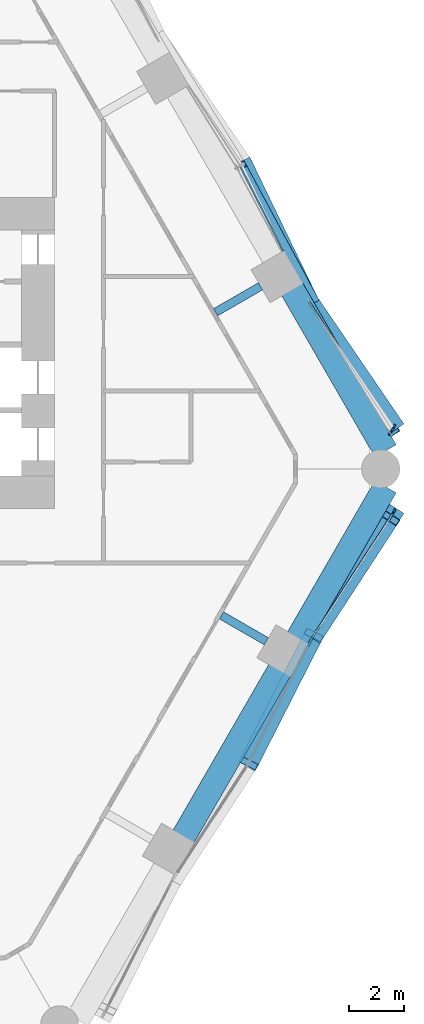
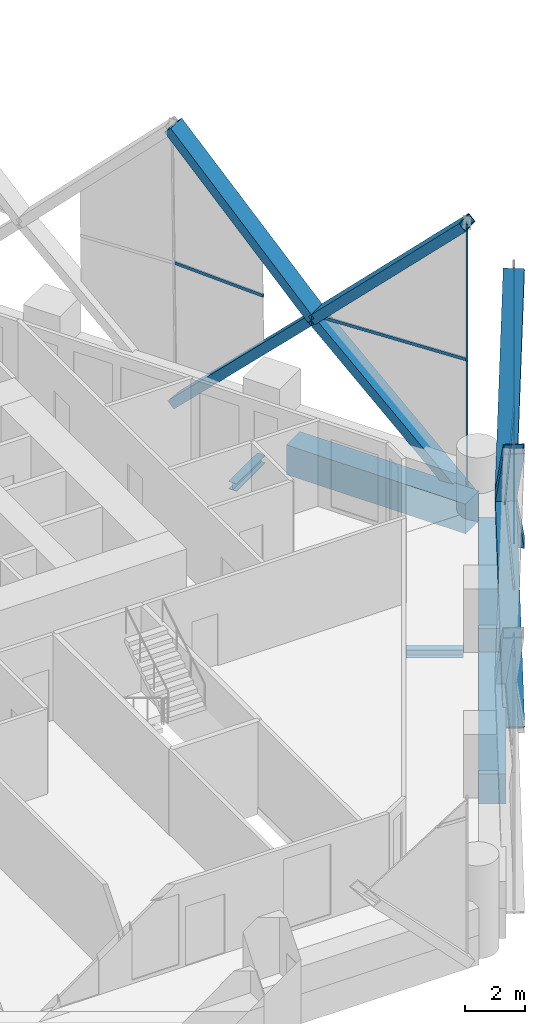
# One storey, part 7 of 22: 16 members, 5 beams, 4 elements without a shape of their own.
"""IFC4 building model written with IfcOpenShell, lengths in metres."""

from ifc_helpers import new_model, si_unit, direction, frame, origin, origin_2d, place, context, subcontext, project, spatial, rectangle, hollow_rectangle, i_section, extrude, material, material_profile, profile_set, type_object, element, aggregate, save


model = new_model("IFC4")

# Units and contexts
model_context = context("Model", 3, precision=1e-05, world=origin(), true_north=direction((0.0, 1.0)))
body_context = subcontext(model_context, "Body", "Model", "MODEL_VIEW")
ifc_project = project(units=[si_unit("LENGTHUNIT", "METRE"), si_unit("AREAUNIT", "SQUARE_METRE"), si_unit("VOLUMEUNIT", "CUBIC_METRE"), si_unit("PLANEANGLEUNIT", "RADIAN"), si_unit("MASSUNIT", "GRAM", prefix="KILO")], contexts=[model_context])

# Site, building, storey
site_placement = place(None, origin())
site = spatial("IfcSite", under=ifc_project, at=site_placement, CompositionType="ELEMENT")
building_placement = place(site_placement, origin())
building = spatial("IfcBuilding", under=site, at=building_placement, Name="Ostrander Bayou Hotel Tower", CompositionType="ELEMENT")
storey_placement = place(building_placement, frame((0.0, 0.0, 46.75)))
storey = spatial("IfcBuildingStorey", under=building, at=storey_placement, Name="L11", CompositionType="ELEMENT", Elevation=46.75)

# Curtain wall, members
ifc_material_1 = material(Name="Aluminium and clear glass", Category="aluminium")
curtain_wall_type = type_object("IfcCurtainWallType", Name="CW-LAT lattice glazing", PredefinedType="NOTDEFINED", material=ifc_material_1)
curtain_wall_1_placement = place(storey_placement, origin())
curtain_wall_1 = element("IfcCurtainWall", 1, at=curtain_wall_1_placement, inside=storey, type_object=curtain_wall_type, Name="CW-LAT L11 SE 1", PredefinedType="NOTDEFINED")
ifc_material_2 = material(Name="Aluminium", Category="aluminium")
ifc_material_profile_1 = material_profile(ifc_material_2, hollow_rectangle(XDim=0.06005859375, YDim=0.159912109375, WallThickness=0.00390625, at=origin_2d()))
ifc_profile_set_1 = profile_set([ifc_material_profile_1], Name="Aluminium")
member_type_1 = type_object("IfcMemberType", Name="CW-LA mullion 60 x 160 mm", PredefinedType="MULLION", material=ifc_profile_set_1)
member_1_placement = place(storey_placement, frame((24.44677734375, -1.797119140625, -0.60009765625), z_axis=(-0.012582822759, -0.021781300087, 0.999683573706), x_axis=(0.865898279276, -0.500220121494, 0.0)))
member_1 = element("IfcMember", 2, at=member_1_placement, type_object=member_type_1, Name="CW-LAT mullion 8", PredefinedType="MULLION", context=body_context, shape_type="SweptSolid", body=[
    extrude(hollow_rectangle(XDim=0.06005859375, YDim=0.159912109375, WallThickness=0.00390625, at=origin_2d()), origin(), (0.0, 0.0, 1.0), 5.626708984375),
])
member_2_placement = place(storey_placement, frame((24.3759765625, -1.919677734375, 5.02490234375), z_axis=(-0.012626192954, -0.021824656549, 0.999682081273), x_axis=(0.865583332221, -0.500764909893, 0.0)))
member_2 = element("IfcMember", 3, at=member_2_placement, type_object=member_type_1, Name="CW-LAT mullion 9", PredefinedType="MULLION", context=body_context, shape_type="SweptSolid", body=[
    extrude(hollow_rectangle(XDim=0.06005859375, YDim=0.159912109375, WallThickness=0.00390625, at=origin_2d()), origin(), (0.0, 0.0, 1.0), 5.626708984375),
])
aggregate(curtain_wall_1, [member_1, member_2])

curtain_wall_2_placement = place(storey_placement, origin())
curtain_wall_2 = element("IfcCurtainWall", 4, at=curtain_wall_2_placement, inside=storey, type_object=curtain_wall_type, Name="CW-LAT L11 NE 1", PredefinedType="NOTDEFINED")
member_3_placement = place(storey_placement, frame((24.44677734375, 1.305908203125, -0.60009765625), z_axis=(-0.012582822759, -0.021781300087, 0.999683573706), x_axis=(0.865898279276, -0.500220121494, 0.0)))
member_3 = element("IfcMember", 5, at=member_3_placement, type_object=member_type_1, Name="CW-LAT mullion 1", PredefinedType="MULLION", context=body_context, shape_type="SweptSolid", body=[
    extrude(hollow_rectangle(XDim=0.06005859375, YDim=0.159912109375, WallThickness=0.00390625, at=origin_2d()), origin(), (0.0, 0.0, 1.0), 5.626708984375),
])
member_4_placement = place(storey_placement, frame((24.3759765625, 1.183349609375, 5.02490234375), z_axis=(-0.012626192954, -0.021824656549, 0.999682081273), x_axis=(0.865583332221, -0.500764909893, 0.0)))
member_4 = element("IfcMember", 6, at=member_4_placement, type_object=member_type_1, Name="CW-LAT mullion 2", PredefinedType="MULLION", context=body_context, shape_type="SweptSolid", body=[
    extrude(hollow_rectangle(XDim=0.06005859375, YDim=0.159912109375, WallThickness=0.00390625, at=origin_2d()), origin(), (0.0, 0.0, 1.0), 5.626708984375),
])
aggregate(curtain_wall_2, [member_3, member_4])

curtain_wall_3_placement = place(storey_placement, origin())
curtain_wall_3 = element("IfcCurtainWall", 7, at=curtain_wall_3_placement, inside=storey, type_object=curtain_wall_type, Name="CW-LAT L11 SE 2", PredefinedType="NOTDEFINED")
ifc_material_3 = material(Name="Aluminium", Category="aluminium")
ifc_material_profile_2 = material_profile(ifc_material_3, hollow_rectangle(XDim=0.06005859375, YDim=0.1201171875, WallThickness=0.00390625, at=origin_2d()))
ifc_profile_set_2 = profile_set([ifc_material_profile_2], Name="Aluminium")
member_type_2 = type_object("IfcMemberType", Name="CW-LA transom 60 x 120 mm", PredefinedType="USERDEFINED", material=ifc_profile_set_2)
member_5_placement = place(storey_placement, frame((19.11328125, -11.034912109375, 5.02490234375), z_axis=(0.453355230913, 0.891329924665, 0.0), x_axis=(-0.891329924665, 0.453355230913, 0.0)))
member_5 = element("IfcMember", 8, at=member_5_placement, type_object=member_type_2, Name="CW-LAT transom 7", ObjectType="TRANSOM", PredefinedType="USERDEFINED", context=body_context, shape_type="SweptSolid", body=[
    extrude(hollow_rectangle(XDim=0.06005859375, YDim=0.1201171875, WallThickness=0.00390625, at=origin_2d()), origin(), (0.0, 0.0, 1.0), 5.27001953125),
])
member_6_placement = place(storey_placement, frame((24.3759765625, -1.919677734375, 5.02490234375), z_axis=(-0.545221203934, -0.838292215627, 0.0), x_axis=(0.838292215627, -0.545221203934, 0.0)))
member_6 = element("IfcMember", 9, at=member_6_placement, type_object=member_type_2, Name="CW-LAT transom 10", ObjectType="TRANSOM", PredefinedType="USERDEFINED", context=body_context, shape_type="SweptSolid", body=[
    extrude(hollow_rectangle(XDim=0.06005859375, YDim=0.1201171875, WallThickness=0.00390625, at=origin_2d()), origin(), (0.0, 0.0, 1.0), 5.637939453125),
])
aggregate(curtain_wall_3, [member_5, member_6])

curtain_wall_4_placement = place(storey_placement, origin())
curtain_wall_4 = element("IfcCurtainWall", 10, at=curtain_wall_4_placement, inside=storey, type_object=curtain_wall_type, Name="CW-LAT L11 NE 2", PredefinedType="NOTDEFINED")
member_7_placement = place(storey_placement, frame((24.3759765625, 1.183349609375, 5.02490234375), z_axis=(-0.544355623565, 0.838854549426, 0.0), x_axis=(-0.838854549426, -0.544355623565, 0.0)))
member_7 = element("IfcMember", 11, at=member_7_placement, type_object=member_type_2, Name="CW-LAT transom 3", ObjectType="TRANSOM", PredefinedType="USERDEFINED", context=body_context, shape_type="SweptSolid", body=[
    extrude(hollow_rectangle(XDim=0.06005859375, YDim=0.1201171875, WallThickness=0.00390625, at=origin_2d()), origin(), (0.0, 0.0, 1.0), 5.589111328125),
])
member_8_placement = place(storey_placement, frame((18.794189453125, 10.850830078125, 5.02490234375), z_axis=(0.454341581159, -0.890827552128, 0.0), x_axis=(0.890827552128, 0.454341581159, 0.0)))
member_8 = element("IfcMember", 12, at=member_8_placement, type_object=member_type_2, Name="CW-LAT transom 6", ObjectType="TRANSOM", PredefinedType="USERDEFINED", context=body_context, shape_type="SweptSolid", body=[
    extrude(hollow_rectangle(XDim=0.06005859375, YDim=0.1201171875, WallThickness=0.00390625, at=origin_2d()), origin(), (0.0, 0.0, 1.0), 3.500244140625),
])
aggregate(curtain_wall_4, [member_7, member_8])

# Beams
ifc_material_4 = material(Name="Steel ASTM A992", Category="steel")
ifc_material_profile_3 = material_profile(ifc_material_4, i_section(OverallWidth=0.3046875, OverallDepth=0.307861328125, WebThickness=0.010009765625, FlangeThickness=0.015380859375, at=origin_2d()))
ifc_profile_set_3 = profile_set([ifc_material_profile_3], Name="Steel ASTM A992")
beam_type_1 = type_object("IfcBeamType", Name="LB1 loggia bracket W12x65", PredefinedType="BEAM", material=ifc_profile_set_3)
for number, where, z_axis, x_axis, name in (
    (13, (19.7646484375, -6.566650390625, -0.453857421875), (-0.866044365799, 0.499967155389, 0.0), (-0.499967155389, -0.866044365799, 0.0), "LB1 L11 SE2"),
    (14, (19.552001953125, 6.44384765625, -0.453857421875), (-0.866044365799, -0.499967155389, 0.0), (0.499967155389, -0.866044365799, 0.0), "LB1 L11 NE1"),
):
    element("IfcBeam", number, at=place(storey_placement, frame(where, z_axis=z_axis, x_axis=x_axis)), inside=storey, type_object=beam_type_1, Name=name, PredefinedType="BEAM", context=body_context, shape_type="SweptSolid", body=[
        extrude(i_section(OverallWidth=0.3046875, OverallDepth=0.307861328125, WebThickness=0.010009765625, FlangeThickness=0.015380859375, at=origin_2d()), origin(), (0.0, 0.0, 1.0), 1.900146484375),
    ])

# Members
ifc_material_5 = material(Name="Steel ASTM A572 Gr 50", Category="steel")
ifc_material_profile_4 = material_profile(ifc_material_5, hollow_rectangle(XDim=0.699951171875, YDim=0.35009765625, WallThickness=0.02490234375, at=origin_2d()))
ifc_profile_set_4 = profile_set([ifc_material_profile_4], Name="Steel ASTM A572 Gr 50")
member_type_3 = type_object("IfcMemberType", Name="LT1 lattice member box 700 x 350 x 25 mm", PredefinedType="BRACE", material=ifc_profile_set_4)
for number, where, z_axis, x_axis, name in (
    (15, (21.50244140625, -6.337646484375, 5.02490234375), (-0.309959152904, -0.609402626393, -0.729762812479), (0.891329924665, -0.453355230913, 0.0), "LT1 L11 SE 5"),
    (16, (21.50244140625, -6.337646484375, 5.02490234375), (-0.309959152904, -0.609402626393, 0.729762812479), (0.891329924665, -0.453355230913, 0.0), "LT1 L11 SE 6"),
):
    element("IfcMember", number, at=place(storey_placement, frame(where, z_axis=z_axis, x_axis=x_axis)), inside=storey, type_object=member_type_3, Name=name, PredefinedType="BRACE", context=body_context, shape_type="SweptSolid", body=[
        extrude(hollow_rectangle(XDim=0.699951171875, YDim=0.35009765625, WallThickness=0.02490234375, at=origin_2d()), origin(), (0.0, 0.0, 1.0), 7.7080078125),
    ])
member_9_placement = place(storey_placement, frame((21.50244140625, -6.337646484375, 5.02490234375), z_axis=(0.377212062114, 0.581707291144, -0.720643939561), x_axis=(-0.839034761093, 0.544077815829, 0.0)))
element("IfcMember", 17, at=member_9_placement, inside=storey, type_object=member_type_3, Name="LT1 L11 SE 7", PredefinedType="BRACE", context=body_context, shape_type="SweptSolid", body=[
    extrude(hollow_rectangle(XDim=0.699951171875, YDim=0.35009765625, WallThickness=0.02490234375, at=origin_2d()), origin(), (0.0, 0.0, 1.0), 7.805419921875),
])
member_10_placement = place(storey_placement, frame((21.50244140625, -6.337646484375, 5.02490234375), z_axis=(0.368165861666, 0.564260127563, 0.73896170858), x_axis=(-0.837495040838, 0.546444925469, 0.0)))
element("IfcMember", 18, at=member_10_placement, inside=storey, type_object=member_type_3, Name="LT1 L11 SE 8", PredefinedType="BRACE", context=body_context, shape_type="SweptSolid", body=[
    extrude(hollow_rectangle(XDim=0.699951171875, YDim=0.35009765625, WallThickness=0.02490234375, at=origin_2d()), origin(), (0.0, 0.0, 1.0), 7.612060546875),
])
member_11_placement = place(storey_placement, frame((21.33349609375, 5.871826171875, 5.02490234375), z_axis=(0.394812024283, -0.579028738876, -0.713336656171), x_axis=(0.826214257465, 0.563356015998, 0.0)))
element("IfcMember", 19, at=member_11_placement, inside=storey, type_object=member_type_3, Name="LT1 L11 NE 1", PredefinedType="BRACE", context=body_context, shape_type="SweptSolid", body=[
    extrude(hollow_rectangle(XDim=0.699951171875, YDim=0.35009765625, WallThickness=0.02490234375, at=origin_2d()), origin(), (0.0, 0.0, 1.0), 7.885498046875),
])
member_12_placement = place(storey_placement, frame((21.33349609375, 5.871826171875, 5.02490234375), z_axis=(0.372541560407, -0.603210626156, 0.705230264709), x_axis=(0.850816731393, 0.52546254822, 0.0)))
element("IfcMember", 20, at=member_12_placement, inside=storey, type_object=member_type_3, Name="LT1 L11 NE 2", PredefinedType="BRACE", context=body_context, shape_type="SweptSolid", body=[
    extrude(hollow_rectangle(XDim=0.699951171875, YDim=0.35009765625, WallThickness=0.02490234375, at=origin_2d()), origin(), (0.0, 0.0, 1.0), 7.97607421875),
])
member_13_placement = place(storey_placement, frame((21.33349609375, 5.871826171875, 5.02490234375), z_axis=(-0.306593594967, 0.635216393545, -0.708872697243), x_axis=(-0.900586378363, -0.434677092918, 0.0)))
element("IfcMember", 21, at=member_13_placement, inside=storey, type_object=member_type_3, Name="LT1 L11 NE 3", PredefinedType="BRACE", context=body_context, shape_type="SweptSolid", body=[
    extrude(hollow_rectangle(XDim=0.699951171875, YDim=0.35009765625, WallThickness=0.02490234375, at=origin_2d()), origin(), (0.0, 0.0, 1.0), 7.93505859375),
])
member_14_placement = place(storey_placement, frame((21.33349609375, 5.871826171875, 5.02490234375), z_axis=(-0.333770920322, 0.620445519384, 0.709679033243), x_axis=(-0.880657745345, -0.473753032247, 0.0)))
element("IfcMember", 22, at=member_14_placement, inside=storey, type_object=member_type_3, Name="LT1 L11 NE 4", PredefinedType="BRACE", context=body_context, shape_type="SweptSolid", body=[
    extrude(hollow_rectangle(XDim=0.699951171875, YDim=0.35009765625, WallThickness=0.02490234375, at=origin_2d()), origin(), (0.0, 0.0, 1.0), 7.926025390625),
])

# Beams
ifc_material_6 = material(Name="Concrete f'c 70 MPa", Category="concrete")
ifc_material_profile_5 = material_profile(ifc_material_6, rectangle(XDim=0.89990234375, YDim=1.199951171875, at=origin_2d()))
ifc_profile_set_5 = profile_set([ifc_material_profile_5], Name="Concrete f'c 70 MPa")
beam_type_2 = type_object("IfcBeamType", Name="SP1 spandrel beam 900 x 1200 mm f'c 70 MPa", PredefinedType="SPANDREL", material=ifc_profile_set_5)
beam_1_placement = place(storey_placement, frame((16.726806640625, -13.72802734375, -0.60009765625), z_axis=(0.499997206141, 0.866027016814, 0.0), x_axis=(-0.866027016814, 0.499997206141, 0.0)))
element("IfcBeam", 23, at=beam_1_placement, inside=storey, type_object=beam_type_2, Name="SP1 L11 SE-2", PredefinedType="SPANDREL", context=body_context, shape_type="SweptSolid", body=[
    extrude(rectangle(XDim=0.89990234375, YDim=1.199951171875, at=origin_2d()), origin(), (0.0, 0.0, 1.0), 7.05078125),
])
beam_2_placement = place(storey_placement, frame((20.92236328125, -6.46142578125, -0.60009765625), z_axis=(0.499983599745, 0.866034872269, 0.0), x_axis=(-0.866034872269, 0.499983599745, 0.0)))
element("IfcBeam", 24, at=beam_2_placement, inside=storey, type_object=beam_type_2, Name="SP1 L11 SE-3", PredefinedType="SPANDREL", context=body_context, shape_type="SweptSolid", body=[
    extrude(rectangle(XDim=0.89990234375, YDim=1.199951171875, at=origin_2d()), origin(), (0.0, 0.0, 1.0), 6.420166015625),
])
beam_3_placement = place(storey_placement, frame((24.13232421875, 0.410400390625, -0.60009765625), z_axis=(-0.499994135611, 0.866028789565, 0.0), x_axis=(-0.866028789565, -0.499994135611, 0.0)))
element("IfcBeam", 25, at=beam_3_placement, inside=storey, type_object=beam_type_2, Name="SP1 L11 NE-1", PredefinedType="SPANDREL", context=body_context, shape_type="SweptSolid", body=[
    extrude(rectangle(XDim=0.89990234375, YDim=1.199951171875, at=origin_2d()), origin(), (0.0, 0.0, 1.0), 6.84521484375),
])

save(model, "model.ifc")
